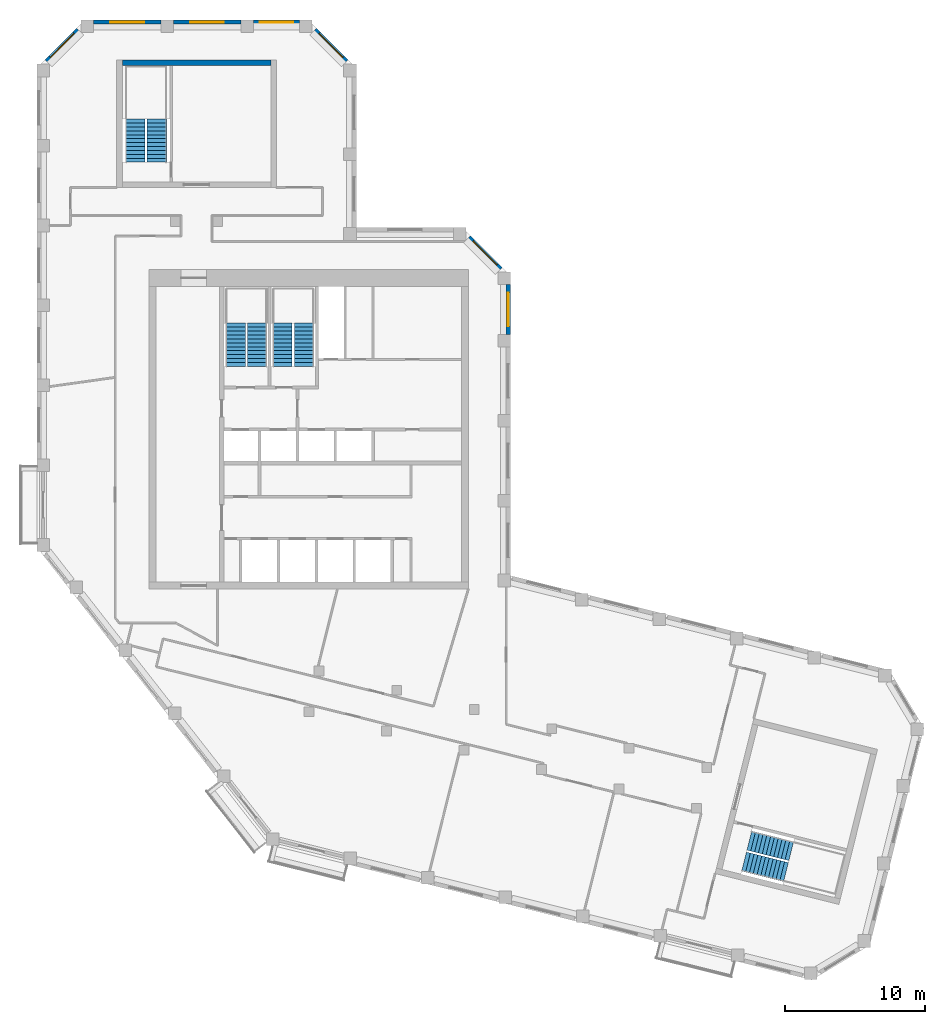
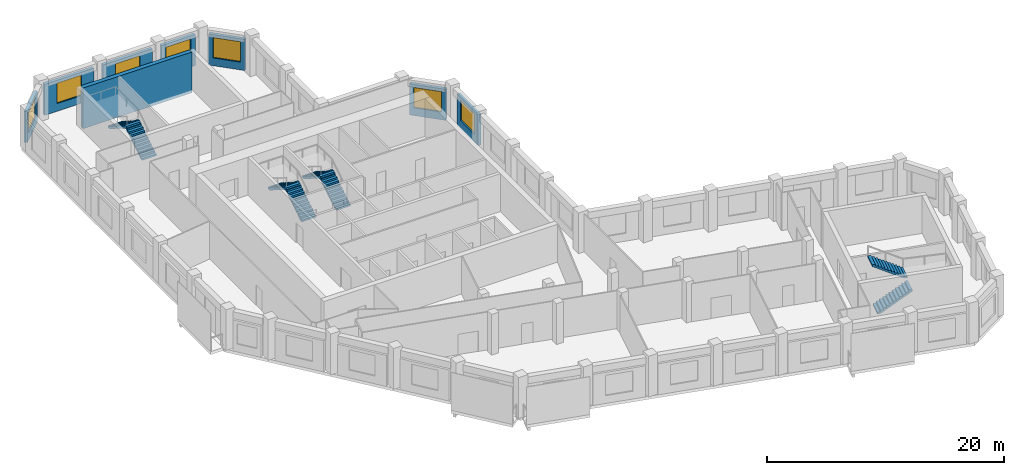
# One storey, part 7 of 8: 8 stair flights, 8 walls, 7 windows, 7 openings, 4 elements without a shape of their own.
"""IFC4 building model written with IfcOpenShell, lengths in metres."""

import ifcopenshell
import ifcopenshell.guid

model = None  # the IFC model being written
_history = None  # IfcOwnerHistory: only IFC2X3 demands one
_inside = {}  # id of a spatial element -> (the spatial element, [elements in it])
_under = {}  # id of a project, library or spatial element -> (it, [spatial elements below it])
_declared = {}  # id of a project -> (the project, [libraries it declares])
_typed = {}  # id of a type object -> (the type object, [elements of that type])
_made_of = {}  # id of a material, layer set ... -> (it, [elements and type objects made of it])


def new_model(schema):
    """Start an empty IFC model of exactly this schema.

    Asked for "IFC4X3", IfcOpenShell would pick the latest addendum, in which some entities
    have other attributes; the version numbers below select the first issue.
    IFC2X3 requires an IfcOwnerHistory on every rooted entity: one is made here for all.
    """
    global model, _history
    if schema == "IFC4X3":
        model = ifcopenshell.file(schema_version=(4, 3, 0, 0))
    else:
        model = ifcopenshell.file(schema=schema)
    _inside.clear()
    _under.clear()
    _declared.clear()
    _typed.clear()
    _made_of.clear()
    _history = None
    if model.schema == "IFC2X3":
        org = make("IfcOrganization", Name="unknown")
        user = make(
            "IfcPersonAndOrganization",
            ThePerson=make("IfcPerson", FamilyName="unknown"),
            TheOrganization=org,
        )
        app = make(
            "IfcApplication",
            ApplicationDeveloper=org,
            Version="unknown",
            ApplicationFullName="unknown",
            ApplicationIdentifier="unknown",
        )
        _history = make(
            "IfcOwnerHistory",
            OwningUser=user,
            OwningApplication=app,
            ChangeAction="ADDED",
            CreationDate=0,
        )
    return model


def make(cls, **values):
    """One entity of the class cls with the attributes given. An attribute that is None is left unset."""
    return model.create_entity(
        cls, **{name: value for name, value in values.items() if value is not None}
    )


def rooted(cls, **values):
    """An entity with a GlobalId (a new one), such as an element, a storey or a relation."""
    return make(cls, GlobalId=ifcopenshell.guid.new(), OwnerHistory=_history, **values)


def si_unit(unit_type, name, prefix=None):
    """IfcSIUnit, for example si_unit("LENGTHUNIT", "METRE", prefix="MILLI")."""
    return make("IfcSIUnit", UnitType=unit_type, Prefix=prefix, Name=name)


def assignment(units):
    """IfcUnitAssignment: the units of a project."""
    return None if units is None else make("IfcUnitAssignment", Units=units)


def point(xyz):
    """IfcCartesianPoint."""
    return None if xyz is None else make("IfcCartesianPoint", Coordinates=xyz)


def direction(xyz):
    """IfcDirection."""
    return None if xyz is None else make("IfcDirection", DirectionRatios=xyz)


def frame(location, z_axis=None, x_axis=None):
    """IfcAxis2Placement3D, a coordinate frame: its origin and axes. An axis left out is left unset."""
    return make(
        "IfcAxis2Placement3D",
        Location=point(location),
        Axis=direction(z_axis),
        RefDirection=direction(x_axis),
    )


def frame_2d(location, x_axis=None):
    """IfcAxis2Placement2D, a coordinate frame in the plane: its origin and x axis."""
    return make(
        "IfcAxis2Placement2D", Location=point(location), RefDirection=direction(x_axis)
    )


def origin():
    """The frame at (0, 0, 0) with its axes left unset."""
    return frame((0.0, 0.0, 0.0))


def place(relative_to, where):
    """IfcLocalPlacement: puts the frame where relative to a parent placement (None: the world)."""
    return make(
        "IfcLocalPlacement", PlacementRelTo=relative_to, RelativePlacement=where
    )


def context(
    kind, dimensions, precision=None, world=None, true_north=None, identifier=None
):
    """IfcGeometricRepresentationContext, for example the 3D "Model" context."""
    return make(
        "IfcGeometricRepresentationContext",
        ContextIdentifier=identifier,
        ContextType=kind,
        CoordinateSpaceDimension=dimensions,
        Precision=precision,
        WorldCoordinateSystem=world,
        TrueNorth=true_north,
    )


def subcontext(parent, identifier, kind, view, scale=None):
    """IfcGeometricRepresentationSubContext, for example "Body" below "Model"."""
    return make(
        "IfcGeometricRepresentationSubContext",
        ContextIdentifier=identifier,
        ContextType=kind,
        ParentContext=parent,
        TargetScale=scale,
        TargetView=view,
    )


def project(units=None, contexts=None):
    """IfcProject with its units and contexts."""
    return rooted(
        "IfcProject",
        Name="project",
        RepresentationContexts=contexts,
        UnitsInContext=assignment(units),
    )


def spatial(cls, under=None, at=None, **own):
    """A site, building, storey or space (cls), placed at a placement, below another one or the project."""
    s = rooted(cls, ObjectPlacement=at, **own)
    if under is not None:
        _under.setdefault(under.id(), (under, []))[1].append(s)
    return s


def polyline(points):
    """IfcPolyline through the points."""
    return make("IfcPolyline", Points=[point(p) for p in points])


def profile(cls, at=None, kind="AREA", **sizes):
    """A parametric profile (cls). Its sizes go by their IFC names, for example OverallWidth=200.0."""
    return make(cls, ProfileType=kind, Position=at, **sizes)


def rectangle(**sizes):
    """IfcRectangleProfileDef."""
    return profile("IfcRectangleProfileDef", **sizes)


def outline(outer, holes=None, kind="AREA"):
    """IfcArbitraryClosedProfileDef: a profile drawn as a closed curve; with holes, ...WithVoids."""
    if holes is None:
        return make("IfcArbitraryClosedProfileDef", ProfileType=kind, OuterCurve=outer)
    return make(
        "IfcArbitraryProfileDefWithVoids",
        ProfileType=kind,
        OuterCurve=outer,
        InnerCurves=holes,
    )


def extrude(swept, where, along, depth):
    """IfcExtrudedAreaSolid: the profile swept, set in the frame where, extruded along a direction by depth."""
    return make(
        "IfcExtrudedAreaSolid",
        SweptArea=swept,
        Position=where,
        ExtrudedDirection=direction(along),
        Depth=depth,
    )


def shape(context_of_items, identifier, shape_type, items):
    """IfcShapeRepresentation: the items that make up one representation, for example the "Body"."""
    return make(
        "IfcShapeRepresentation",
        ContextOfItems=context_of_items,
        RepresentationIdentifier=identifier,
        RepresentationType=shape_type,
        Items=items,
    )


def material(Name=None, Category=None):
    """IfcMaterial."""
    return make("IfcMaterial", Name=Name, Category=Category)


def layer(
    of_material, thickness, ventilated=None, Name=None, Category=None, Priority=None
):
    """IfcMaterialLayer: one layer of a wall or slab, of a material (None: an air gap)."""
    return make(
        "IfcMaterialLayer",
        Material=of_material,
        LayerThickness=thickness,
        IsVentilated=ventilated,
        Name=Name,
        Category=Category,
        Priority=Priority,
    )


def layer_set(layers, Name=None):
    """IfcMaterialLayerSet."""
    return make("IfcMaterialLayerSet", MaterialLayers=layers, LayerSetName=Name)


def made_of(thing, what):
    """Note that an element or type object is made of a material, layer set ...; save() writes the relation."""
    if what is not None:
        _made_of.setdefault(what.id(), (what, []))[1].append(thing)
    return thing


def type_object(cls, material=None, **own):
    """A type object (cls), such as IfcWallType, which elements share."""
    return made_of(rooted(cls, **own), material)


def element(
    cls,
    number,
    at=None,
    inside=None,
    cuts=None,
    type_object=None,
    material=None,
    context=None,
    identifier="Body",
    shape_type=None,
    held_by="IfcProductDefinitionShape",
    body=None,
    shapes=None,
    **own,
):
    """One element of the class cls, such as IfcWall. Its Tag is "e" and its number.

    at: its placement. inside: the storey or other place that contains it. cuts: it is an
    opening in that element (IfcRelVoidsElement). A single representation is given by context,
    identifier, shape_type and body (its items); several are given by shapes. held_by: the class
    of the entity that holds the representations. save() writes the other relations.
    """
    e = rooted(cls, Tag="e%d" % number, ObjectPlacement=at, **own)
    if body is not None:
        shapes = [shape(context, identifier, shape_type, body)]
    if shapes is not None:
        e.Representation = make(held_by, Representations=shapes)
    if inside is not None:
        _inside.setdefault(inside.id(), (inside, []))[1].append(e)
    if cuts is not None:
        rooted(
            "IfcRelVoidsElement", RelatingBuildingElement=cuts, RelatedOpeningElement=e
        )
    if type_object is not None:
        _typed.setdefault(type_object.id(), (type_object, []))[1].append(e)
    return made_of(e, material)


def fill(opening, filler):
    """IfcRelFillsElement: the door or window that sits in an opening."""
    return rooted(
        "IfcRelFillsElement",
        RelatingOpeningElement=opening,
        RelatedBuildingElement=filler,
    )


def aggregate(whole, parts):
    """IfcRelAggregates: a whole, such as a stair, and the parts it consists of."""
    return rooted("IfcRelAggregates", RelatingObject=whole, RelatedObjects=parts)


def save(model, path):
    """Write the relations noted so far, then the file.

    IfcRelAggregates (storeys below a building ...), IfcRelContainedInSpatialStructure (elements
    in a storey), IfcRelDefinesByType, IfcRelAssociatesMaterial and IfcRelDeclares: one each for
    every whole, place, type object, material and project.
    """
    for whole, parts in _under.values():
        aggregate(whole, parts)
    for where, things in _inside.values():
        rooted(
            "IfcRelContainedInSpatialStructure",
            RelatedElements=things,
            RelatingStructure=where,
        )
    for kind, things in _typed.values():
        rooted("IfcRelDefinesByType", RelatedObjects=things, RelatingType=kind)
    for what, things in _made_of.values():
        rooted("IfcRelAssociatesMaterial", RelatedObjects=things, RelatingMaterial=what)
    for by, libraries in _declared.values():
        rooted("IfcRelDeclares", RelatingContext=by, RelatedDefinitions=libraries)
    model.write(path)


model = new_model("IFC4")

# Units and contexts
model_context = context("Model", 3, precision=1e-05, world=origin(), true_north=direction((0.0, 1.0)))
body_context = subcontext(model_context, "Body", "Model", "MODEL_VIEW")
ifc_project = project(units=[si_unit("LENGTHUNIT", "METRE"), si_unit("AREAUNIT", "SQUARE_METRE"), si_unit("VOLUMEUNIT", "CUBIC_METRE"), si_unit("PLANEANGLEUNIT", "RADIAN"), si_unit("MASSUNIT", "GRAM", prefix="KILO")], contexts=[model_context])

# Site, building, storey
site_placement = place(None, origin())
site = spatial("IfcSite", under=ifc_project, at=site_placement, CompositionType="ELEMENT")
building_placement = place(site_placement, origin())
building = spatial("IfcBuilding", under=site, at=building_placement, Name="Meshkara Civic Tower", CompositionType="ELEMENT")
storey_placement = place(building_placement, frame((0.0, 0.0, 358.199951171875)))
storey = spatial("IfcBuildingStorey", under=building, at=storey_placement, Name="L82", CompositionType="ELEMENT", Elevation=358.199951171875)

# Wall, opening, window
ifc_material_1 = material(Name="Insulated infill panel with bronze anodised aluminium cladding", Category="aluminium")
ifc_layer_1 = layer(ifc_material_1, 0.300048828125)
ifc_layer_set_1 = layer_set([ifc_layer_1], Name="EXTERNAL INFILL WALL 300")
wall_type_1 = type_object("IfcWallType", Name="EXTERNAL INFILL WALL 300", PredefinedType="SOLIDWALL", material=ifc_layer_set_1)
wall_1_placement = place(storey_placement, frame((33.64990234375, 32.26904296875, 0.0), z_axis=(0.0, 0.0, 1.0), x_axis=(0.0, 1.0, 0.0)))
wall_1 = element("IfcWall", 1, at=wall_1_placement, inside=storey, type_object=wall_type_1, Name="External wall", PredefinedType="SOLIDWALL", context=body_context, shape_type="SweptSolid", body=[
    extrude(rectangle(XDim=3.574951171875, YDim=0.300048828125, at=frame_2d((1.78759765625, 0.0))), origin(), (0.0, 0.0, 1.0), 3.199951171875),
])
opening_1_placement = place(wall_1_placement, frame((0.587890625, 0.0, 0.800048828125)))
opening_1 = element("IfcOpeningElement", 2, at=opening_1_placement, cuts=wall_1, Name="Opening W7", PredefinedType="OPENING", context=body_context, shape_type="SweptSolid", body=[
    extrude(rectangle(XDim=2.39990234375, YDim=2.10009765625, at=frame_2d((1.199951171875, 1.050048828125))), frame((0.0, 0.159912109375, 0.0), z_axis=(0.0, -1.0, 0.0), x_axis=(1.0, 0.0, 0.0)), (0.0, 0.0, 1.0), 0.320068359375),
])
ifc_material_2 = material(Name="Tinted double glazing", Category="glass")
window_type = type_object("IfcWindowType", Name="WINDOW 2400x2100", PartitioningType="DOUBLE_PANEL_VERTICAL", PredefinedType="WINDOW", material=ifc_material_2)
window_1_placement = place(opening_1_placement, origin())
window_1 = element("IfcWindow", 3, at=window_1_placement, inside=storey, type_object=window_type, Name="Window", OverallHeight=2.10009765625, OverallWidth=2.39990234375, PartitioningType="DOUBLE_PANEL_VERTICAL", PredefinedType="WINDOW", context=body_context, shape_type="SweptSolid", body=[
    extrude(rectangle(XDim=2.39990234375, YDim=2.10009765625, at=frame_2d((1.199951171875, 1.050048828125))), frame((0.0, 0.030029296875, 0.0), z_axis=(0.0, -1.0, 0.0), x_axis=(1.0, 0.0, 0.0)), (0.0, 0.0, 1.0), 0.06005859375),
])
fill(opening_1, window_1)

wall_2_placement = place(storey_placement, frame((33.112060546875, 36.9560546875, 0.0), z_axis=(0.0, 0.0, 1.0), x_axis=(-0.707145041435, 0.707068518868, 0.0)))
wall_2 = element("IfcWall", 4, at=wall_2_placement, inside=storey, type_object=wall_type_1, Name="External wall", PredefinedType="SOLIDWALL", context=body_context, shape_type="SweptSolid", body=[
    extrude(rectangle(XDim=3.1904296875, YDim=0.300048828125, at=frame_2d((1.59521484375, 0.0))), origin(), (0.0, 0.0, 1.0), 3.199951171875),
])
opening_2_placement = place(wall_2_placement, frame((0.39501953125, 0.0, 0.800048828125)))
opening_2 = element("IfcOpeningElement", 5, at=opening_2_placement, cuts=wall_2, Name="Opening W7", PredefinedType="OPENING", context=body_context, shape_type="SweptSolid", body=[
    extrude(rectangle(XDim=2.39990234375, YDim=2.10009765625, at=frame_2d((1.199951171875, 1.050048828125))), frame((0.0, 0.159912109375, 0.0), z_axis=(0.0, -1.0, 0.0), x_axis=(1.0, 0.0, 0.0)), (0.0, 0.0, 1.0), 0.320068359375),
])
window_2_placement = place(opening_2_placement, origin())
window_2 = element("IfcWindow", 6, at=window_2_placement, inside=storey, type_object=window_type, Name="Window", OverallHeight=2.10009765625, OverallWidth=2.39990234375, PartitioningType="DOUBLE_PANEL_VERTICAL", PredefinedType="WINDOW", context=body_context, shape_type="SweptSolid", body=[
    extrude(rectangle(XDim=2.39990234375, YDim=2.10009765625, at=frame_2d((1.199951171875, 1.050048828125))), frame((0.0, 0.030029296875, 0.0), z_axis=(0.0, -1.0, 0.0), x_axis=(1.0, 0.0, 0.0)), (0.0, 0.0, 1.0), 0.06005859375),
])
fill(opening_2, window_2)

wall_3_placement = place(storey_placement, frame((22.112060546875, 51.77587890625, 0.0), z_axis=(0.0, 0.0, 1.0), x_axis=(-0.707106781187, 0.707106781187, 0.0)))
wall_3 = element("IfcWall", 7, at=wall_3_placement, inside=storey, type_object=wall_type_1, Name="External wall", PredefinedType="SOLIDWALL", context=body_context, shape_type="SweptSolid", body=[
    extrude(rectangle(XDim=3.190673828125, YDim=0.300048828125, at=frame_2d((1.59521484375, 0.0))), origin(), (0.0, 0.0, 1.0), 3.199951171875),
])
opening_3_placement = place(wall_3_placement, frame((0.39501953125, 0.0, 0.800048828125)))
opening_3 = element("IfcOpeningElement", 8, at=opening_3_placement, cuts=wall_3, Name="Opening W7", PredefinedType="OPENING", context=body_context, shape_type="SweptSolid", body=[
    extrude(rectangle(XDim=2.39990234375, YDim=2.10009765625, at=frame_2d((1.199951171875, 1.050048828125))), frame((0.0, 0.159912109375, 0.0), z_axis=(0.0, -1.0, 0.0), x_axis=(1.0, 0.0, 0.0)), (0.0, 0.0, 1.0), 0.320068359375),
])
window_3_placement = place(opening_3_placement, origin())
window_3 = element("IfcWindow", 9, at=window_3_placement, inside=storey, type_object=window_type, Name="Window", OverallHeight=2.10009765625, OverallWidth=2.39990234375, PartitioningType="DOUBLE_PANEL_VERTICAL", PredefinedType="WINDOW", context=body_context, shape_type="SweptSolid", body=[
    extrude(rectangle(XDim=2.39990234375, YDim=2.10009765625, at=frame_2d((1.199951171875, 1.050048828125))), frame((0.0, 0.030029296875, 0.0), z_axis=(0.0, -1.0, 0.0), x_axis=(1.0, 0.0, 0.0)), (0.0, 0.0, 1.0), 0.06005859375),
])
fill(opening_3, window_3)

wall_4_placement = place(storey_placement, frame((18.743896484375, 54.570068359375, 0.0), z_axis=(0.0, 0.0, 1.0), x_axis=(-1.0, 0.0, 0.0)))
wall_4 = element("IfcWall", 10, at=wall_4_placement, inside=storey, type_object=wall_type_1, Name="External wall", PredefinedType="SOLIDWALL", context=body_context, shape_type="SweptSolid", body=[
    extrude(rectangle(XDim=3.287841796875, YDim=0.300048828125, at=frame_2d((1.64404296875, 0.0))), origin(), (0.0, 0.0, 1.0), 3.199951171875),
])
opening_4_placement = place(wall_4_placement, frame((0.444091796875, 0.0, 0.800048828125)))
opening_4 = element("IfcOpeningElement", 11, at=opening_4_placement, cuts=wall_4, Name="Opening W7", PredefinedType="OPENING", context=body_context, shape_type="SweptSolid", body=[
    extrude(rectangle(XDim=2.39990234375, YDim=2.10009765625, at=frame_2d((1.199951171875, 1.050048828125))), frame((0.0, 0.159912109375, 0.0), z_axis=(0.0, -1.0, 0.0), x_axis=(1.0, 0.0, 0.0)), (0.0, 0.0, 1.0), 0.320068359375),
])
window_4_placement = place(opening_4_placement, origin())
window_4 = element("IfcWindow", 12, at=window_4_placement, inside=storey, type_object=window_type, Name="Window", OverallHeight=2.10009765625, OverallWidth=2.39990234375, PartitioningType="DOUBLE_PANEL_VERTICAL", PredefinedType="WINDOW", context=body_context, shape_type="SweptSolid", body=[
    extrude(rectangle(XDim=2.39990234375, YDim=2.10009765625, at=frame_2d((1.199951171875, 1.050048828125))), frame((0.0, 0.030029296875, 0.0), z_axis=(0.0, -1.0, 0.0), x_axis=(1.0, 0.0, 0.0)), (0.0, 0.0, 1.0), 0.06005859375),
])
fill(opening_4, window_4)

wall_5_placement = place(storey_placement, frame((14.555908203125, 54.570068359375, 0.0), z_axis=(0.0, 0.0, 1.0), x_axis=(-1.0, 0.0, 0.0)))
wall_5 = element("IfcWall", 13, at=wall_5_placement, inside=storey, type_object=wall_type_1, Name="External wall", PredefinedType="SOLIDWALL", context=body_context, shape_type="SweptSolid", body=[
    extrude(rectangle(XDim=4.7998046875, YDim=0.300048828125, at=frame_2d((2.39990234375, 0.0))), origin(), (0.0, 0.0, 1.0), 3.199951171875),
])
opening_5_placement = place(wall_5_placement, frame((1.199951171875, 0.0, 0.800048828125)))
opening_5 = element("IfcOpeningElement", 14, at=opening_5_placement, cuts=wall_5, Name="Opening W7", PredefinedType="OPENING", context=body_context, shape_type="SweptSolid", body=[
    extrude(rectangle(XDim=2.39990234375, YDim=2.10009765625, at=frame_2d((1.199951171875, 1.050048828125))), frame((0.0, 0.159912109375, 0.0), z_axis=(0.0, -1.0, 0.0), x_axis=(1.0, 0.0, 0.0)), (0.0, 0.0, 1.0), 0.320068359375),
])
window_5_placement = place(opening_5_placement, origin())
window_5 = element("IfcWindow", 15, at=window_5_placement, inside=storey, type_object=window_type, Name="Window", OverallHeight=2.10009765625, OverallWidth=2.39990234375, PartitioningType="DOUBLE_PANEL_VERTICAL", PredefinedType="WINDOW", context=body_context, shape_type="SweptSolid", body=[
    extrude(rectangle(XDim=2.39990234375, YDim=2.10009765625, at=frame_2d((1.199951171875, 1.050048828125))), frame((0.0, 0.030029296875, 0.0), z_axis=(0.0, -1.0, 0.0), x_axis=(1.0, 0.0, 0.0)), (0.0, 0.0, 1.0), 0.06005859375),
])
fill(opening_5, window_5)

wall_6_placement = place(storey_placement, frame((8.85595703125, 54.570068359375, 0.0), z_axis=(0.0, 0.0, 1.0), x_axis=(-1.0, 0.0, 0.0)))
wall_6 = element("IfcWall", 16, at=wall_6_placement, inside=storey, type_object=wall_type_1, Name="External wall", PredefinedType="SOLIDWALL", context=body_context, shape_type="SweptSolid", body=[
    extrude(rectangle(XDim=4.800048828125, YDim=0.300048828125, at=frame_2d((2.39990234375, 0.0))), origin(), (0.0, 0.0, 1.0), 3.199951171875),
])
opening_6_placement = place(wall_6_placement, frame((1.199951171875, 0.0, 0.800048828125)))
opening_6 = element("IfcOpeningElement", 17, at=opening_6_placement, cuts=wall_6, Name="Opening W7", PredefinedType="OPENING", context=body_context, shape_type="SweptSolid", body=[
    extrude(rectangle(XDim=2.39990234375, YDim=2.10009765625, at=frame_2d((1.199951171875, 1.050048828125))), frame((0.0, 0.159912109375, 0.0), z_axis=(0.0, -1.0, 0.0), x_axis=(1.0, 0.0, 0.0)), (0.0, 0.0, 1.0), 0.320068359375),
])
window_6_placement = place(opening_6_placement, origin())
window_6 = element("IfcWindow", 18, at=window_6_placement, inside=storey, type_object=window_type, Name="Window", OverallHeight=2.10009765625, OverallWidth=2.39990234375, PartitioningType="DOUBLE_PANEL_VERTICAL", PredefinedType="WINDOW", context=body_context, shape_type="SweptSolid", body=[
    extrude(rectangle(XDim=2.39990234375, YDim=2.10009765625, at=frame_2d((1.199951171875, 1.050048828125))), frame((0.0, 0.030029296875, 0.0), z_axis=(0.0, -1.0, 0.0), x_axis=(1.0, 0.0, 0.0)), (0.0, 0.0, 1.0), 0.06005859375),
])
fill(opening_6, window_6)

wall_7_placement = place(storey_placement, frame((2.944091796875, 54.031982421875, 0.0), z_axis=(0.0, 0.0, 1.0), x_axis=(-0.707106781187, -0.707106781187, 0.0)))
wall_7 = element("IfcWall", 19, at=wall_7_placement, inside=storey, type_object=wall_type_1, Name="External wall", PredefinedType="SOLIDWALL", context=body_context, shape_type="SweptSolid", body=[
    extrude(rectangle(XDim=3.190673828125, YDim=0.300048828125, at=frame_2d((1.59521484375, 0.0))), origin(), (0.0, 0.0, 1.0), 3.199951171875),
])
opening_7_placement = place(wall_7_placement, frame((0.39501953125, 0.0, 0.800048828125)))
opening_7 = element("IfcOpeningElement", 20, at=opening_7_placement, cuts=wall_7, Name="Opening W7", PredefinedType="OPENING", context=body_context, shape_type="SweptSolid", body=[
    extrude(rectangle(XDim=2.39990234375, YDim=2.10009765625, at=frame_2d((1.199951171875, 1.050048828125))), frame((0.0, 0.159912109375, 0.0), z_axis=(0.0, -1.0, 0.0), x_axis=(1.0, 0.0, 0.0)), (0.0, 0.0, 1.0), 0.320068359375),
])
window_7_placement = place(opening_7_placement, origin())
window_7 = element("IfcWindow", 21, at=window_7_placement, inside=storey, type_object=window_type, Name="Window", OverallHeight=2.10009765625, OverallWidth=2.39990234375, PartitioningType="DOUBLE_PANEL_VERTICAL", PredefinedType="WINDOW", context=body_context, shape_type="SweptSolid", body=[
    extrude(rectangle(XDim=2.39990234375, YDim=2.10009765625, at=frame_2d((1.199951171875, 1.050048828125))), frame((0.0, 0.030029296875, 0.0), z_axis=(0.0, -1.0, 0.0), x_axis=(1.0, 0.0, 0.0)), (0.0, 0.0, 1.0), 0.06005859375),
])
fill(opening_7, window_7)

# Wall
ifc_material_3 = material(Name="Concrete C50", Category="concrete")
ifc_layer_2 = layer(ifc_material_3, 0.39990234375)
ifc_layer_set_2 = layer_set([ifc_layer_2], Name="End core ring wall 400 C50")
wall_type_2 = type_object("IfcWallType", Name="End core ring wall 400 C50", PredefinedType="SHEAR", material=ifc_layer_set_2)
wall_8_placement = place(storey_placement, frame((6.10009765625, 51.669921875, -0.300048828125), z_axis=(0.0, 0.0, 1.0), x_axis=(1.0, 0.0, 0.0)))
element("IfcWall", 22, at=wall_8_placement, inside=storey, type_object=wall_type_2, Name="L82-C030", PredefinedType="SHEAR", context=body_context, shape_type="SweptSolid", body=[
    extrude(rectangle(XDim=10.599853515625, YDim=0.39990234375, at=frame_2d((5.2998046875, 0.0))), origin(), (0.0, 0.0, 1.0), 4.2001953125),
])

# Stair, stair flights
ifc_material_4 = material(Name="Precast concrete C40/50", Category="concrete")
stair_type = type_object("IfcStairType", Name="Exit stair half-turn 24 risers precast", PredefinedType="HALF_TURN_STAIR", material=ifc_material_4)
stair_1_placement = place(storey_placement, origin())
stair_1 = element("IfcStair", 23, at=stair_1_placement, inside=storey, type_object=stair_type, Name="L82 exit stair 1", PredefinedType="HALF_TURN_STAIR")
ifc_material_5 = material(Name="Precast concrete C40/50", Category="concrete")
stair_flight_type = type_object("IfcStairFlightType", Name="Exit stair flight 12 risers precast", PredefinedType="STRAIGHT", material=ifc_material_5)
stair_flight_1_placement = place(storey_placement, frame((15.72509765625, 30.0, 0.0), z_axis=(0.0, 0.0, 1.0), x_axis=(0.0, 1.0, 0.0)))
stair_flight_1 = element("IfcStairFlight", 24, at=stair_flight_1_placement, type_object=stair_flight_type, Name="ST1 flight 1", NumberOfRisers=12, NumberOfTreads=11, PredefinedType="STRAIGHT", RiserHeight=0.175, TreadLength=0.28, context=body_context, shape_type="SweptSolid", body=[
    extrude(outline(polyline([(0.0, 0.0), (0.0, 0.175048828125), (0.280029296875, 0.175048828125), (0.280029296875, 0.35009765625), (0.56005859375, 0.35009765625), (0.56005859375, 0.52490234375), (0.840087890625, 0.52490234375), (0.840087890625, 0.699951171875), (1.1201171875, 0.699951171875), (1.1201171875, 0.875), (1.39990234375, 0.875), (1.39990234375, 1.050048828125), (1.679931640625, 1.050048828125), (1.679931640625, 1.22509765625), (1.9599609375, 1.22509765625), (1.9599609375, 1.39990234375), (2.239990234375, 1.39990234375), (2.239990234375, 1.574951171875), (2.52001953125, 1.574951171875), (2.52001953125, 1.75), (2.800048828125, 1.75), (2.800048828125, 1.925048828125), (3.080078125, 1.925048828125), (3.080078125, 2.10009765625), (3.080078125, 1.748291015625), (0.28271484375, 0.0), (0.0, 0.0)])), frame((0.0, 0.699951171875, 0.0), z_axis=(0.0, -1.0, 0.0), x_axis=(1.0, 0.0, 0.0)), (0.0, 0.0, 1.0), 1.39990234375),
])
stair_flight_2_placement = place(storey_placement, frame((14.175048828125, 33.080078125, 2.10009765625), z_axis=(0.0, 0.0, 1.0), x_axis=(0.0, -1.0, 0.0)))
stair_flight_2 = element("IfcStairFlight", 25, at=stair_flight_2_placement, type_object=stair_flight_type, Name="ST1 flight 2", NumberOfRisers=12, NumberOfTreads=11, PredefinedType="STRAIGHT", RiserHeight=0.175, TreadLength=0.28, context=body_context, shape_type="SweptSolid", body=[
    extrude(outline(polyline([(0.0, 0.0), (0.0, 0.175048828125), (0.280029296875, 0.175048828125), (0.280029296875, 0.35009765625), (0.56005859375, 0.35009765625), (0.56005859375, 0.52490234375), (0.840087890625, 0.52490234375), (0.840087890625, 0.699951171875), (1.1201171875, 0.699951171875), (1.1201171875, 0.875), (1.39990234375, 0.875), (1.39990234375, 1.050048828125), (1.679931640625, 1.050048828125), (1.679931640625, 1.22509765625), (1.9599609375, 1.22509765625), (1.9599609375, 1.39990234375), (2.239990234375, 1.39990234375), (2.239990234375, 1.574951171875), (2.52001953125, 1.574951171875), (2.52001953125, 1.75), (2.800048828125, 1.75), (2.800048828125, 1.925048828125), (3.080078125, 1.925048828125), (3.080078125, 2.10009765625), (3.080078125, 1.748291015625), (0.28271484375, 0.0), (0.0, 0.0)])), frame((0.0, 0.699951171875, 0.0), z_axis=(0.0, -1.0, 0.0), x_axis=(1.0, 0.0, 0.0)), (0.0, 0.0, 1.0), 1.39990234375),
])
aggregate(stair_1, [stair_flight_1, stair_flight_2])

stair_2_placement = place(storey_placement, origin())
stair_2 = element("IfcStair", 26, at=stair_2_placement, inside=storey, type_object=stair_type, Name="L82 exit stair 2", PredefinedType="HALF_TURN_STAIR")
stair_flight_3_placement = place(storey_placement, frame((19.074951171875, 30.0, 0.0), z_axis=(0.0, 0.0, 1.0), x_axis=(0.0, 1.0, 0.0)))
stair_flight_3 = element("IfcStairFlight", 27, at=stair_flight_3_placement, type_object=stair_flight_type, Name="ST2 flight 1", NumberOfRisers=12, NumberOfTreads=11, PredefinedType="STRAIGHT", RiserHeight=0.175, TreadLength=0.28, context=body_context, shape_type="SweptSolid", body=[
    extrude(outline(polyline([(0.0, 0.0), (0.0, 0.175048828125), (0.280029296875, 0.175048828125), (0.280029296875, 0.35009765625), (0.56005859375, 0.35009765625), (0.56005859375, 0.52490234375), (0.840087890625, 0.52490234375), (0.840087890625, 0.699951171875), (1.1201171875, 0.699951171875), (1.1201171875, 0.875), (1.39990234375, 0.875), (1.39990234375, 1.050048828125), (1.679931640625, 1.050048828125), (1.679931640625, 1.22509765625), (1.9599609375, 1.22509765625), (1.9599609375, 1.39990234375), (2.239990234375, 1.39990234375), (2.239990234375, 1.574951171875), (2.52001953125, 1.574951171875), (2.52001953125, 1.75), (2.800048828125, 1.75), (2.800048828125, 1.925048828125), (3.080078125, 1.925048828125), (3.080078125, 2.10009765625), (3.080078125, 1.748291015625), (0.28271484375, 0.0), (0.0, 0.0)])), frame((0.0, 0.699951171875, 0.0), z_axis=(0.0, -1.0, 0.0), x_axis=(1.0, 0.0, 0.0)), (0.0, 0.0, 1.0), 1.39990234375),
])
stair_flight_4_placement = place(storey_placement, frame((17.52490234375, 33.080078125, 2.10009765625), z_axis=(0.0, 0.0, 1.0), x_axis=(0.0, -1.0, 0.0)))
stair_flight_4 = element("IfcStairFlight", 28, at=stair_flight_4_placement, type_object=stair_flight_type, Name="ST2 flight 2", NumberOfRisers=12, NumberOfTreads=11, PredefinedType="STRAIGHT", RiserHeight=0.175, TreadLength=0.28, context=body_context, shape_type="SweptSolid", body=[
    extrude(outline(polyline([(0.0, 0.0), (0.0, 0.175048828125), (0.280029296875, 0.175048828125), (0.280029296875, 0.35009765625), (0.56005859375, 0.35009765625), (0.56005859375, 0.52490234375), (0.840087890625, 0.52490234375), (0.840087890625, 0.699951171875), (1.1201171875, 0.699951171875), (1.1201171875, 0.875), (1.39990234375, 0.875), (1.39990234375, 1.050048828125), (1.679931640625, 1.050048828125), (1.679931640625, 1.22509765625), (1.9599609375, 1.22509765625), (1.9599609375, 1.39990234375), (2.239990234375, 1.39990234375), (2.239990234375, 1.574951171875), (2.52001953125, 1.574951171875), (2.52001953125, 1.75), (2.800048828125, 1.75), (2.800048828125, 1.925048828125), (3.080078125, 1.925048828125), (3.080078125, 2.10009765625), (3.080078125, 1.748291015625), (0.28271484375, 0.0), (0.0, 0.0)])), frame((0.0, 0.699951171875, 0.0), z_axis=(0.0, -1.0, 0.0), x_axis=(1.0, 0.0, 0.0)), (0.0, 0.0, 1.0), 1.39990234375),
])
aggregate(stair_2, [stair_flight_3, stair_flight_4])

stair_3_placement = place(storey_placement, origin())
stair_3 = element("IfcStair", 29, at=stair_3_placement, inside=storey, type_object=stair_type, Name="L82 exit stair A from L80", PredefinedType="HALF_TURN_STAIR")
stair_flight_5_placement = place(storey_placement, frame((8.574951171875, 44.570068359375, 0.0), z_axis=(0.0, 0.0, 1.0), x_axis=(0.0, 1.0, 0.0)))
stair_flight_5 = element("IfcStairFlight", 30, at=stair_flight_5_placement, type_object=stair_flight_type, Name="ESA6 flight 1", NumberOfRisers=12, NumberOfTreads=11, PredefinedType="STRAIGHT", RiserHeight=0.175, TreadLength=0.28, context=body_context, shape_type="SweptSolid", body=[
    extrude(outline(polyline([(0.0, 0.0), (0.0, 0.175048828125), (0.280029296875, 0.175048828125), (0.280029296875, 0.35009765625), (0.56005859375, 0.35009765625), (0.56005859375, 0.52490234375), (0.840087890625, 0.52490234375), (0.840087890625, 0.699951171875), (1.1201171875, 0.699951171875), (1.1201171875, 0.875), (1.39990234375, 0.875), (1.39990234375, 1.050048828125), (1.679931640625, 1.050048828125), (1.679931640625, 1.22509765625), (1.9599609375, 1.22509765625), (1.9599609375, 1.39990234375), (2.239990234375, 1.39990234375), (2.239990234375, 1.574951171875), (2.52001953125, 1.574951171875), (2.52001953125, 1.75), (2.800048828125, 1.75), (2.800048828125, 1.925048828125), (3.080078125, 1.925048828125), (3.080078125, 2.10009765625), (3.080078125, 1.748291015625), (0.28271484375, 0.0), (0.0, 0.0)])), frame((0.0, 0.699951171875, 0.0), z_axis=(0.0, -1.0, 0.0), x_axis=(1.0, 0.0, 0.0)), (0.0, 0.0, 1.0), 1.39990234375),
])
stair_flight_6_placement = place(storey_placement, frame((7.02490234375, 47.64990234375, 2.10009765625), z_axis=(0.0, 0.0, 1.0), x_axis=(0.0, -1.0, 0.0)))
stair_flight_6 = element("IfcStairFlight", 31, at=stair_flight_6_placement, type_object=stair_flight_type, Name="ESA6 flight 2", NumberOfRisers=12, NumberOfTreads=11, PredefinedType="STRAIGHT", RiserHeight=0.175, TreadLength=0.28, context=body_context, shape_type="SweptSolid", body=[
    extrude(outline(polyline([(0.0, 0.0), (0.0, 0.175048828125), (0.280029296875, 0.175048828125), (0.280029296875, 0.35009765625), (0.56005859375, 0.35009765625), (0.56005859375, 0.52490234375), (0.840087890625, 0.52490234375), (0.840087890625, 0.699951171875), (1.1201171875, 0.699951171875), (1.1201171875, 0.875), (1.39990234375, 0.875), (1.39990234375, 1.050048828125), (1.679931640625, 1.050048828125), (1.679931640625, 1.22509765625), (1.9599609375, 1.22509765625), (1.9599609375, 1.39990234375), (2.239990234375, 1.39990234375), (2.239990234375, 1.574951171875), (2.52001953125, 1.574951171875), (2.52001953125, 1.75), (2.800048828125, 1.75), (2.800048828125, 1.925048828125), (3.080078125, 1.925048828125), (3.080078125, 2.10009765625), (3.080078125, 1.748291015625), (0.28271484375, 0.0), (0.0, 0.0)])), frame((0.0, 0.699951171875, 0.0), z_axis=(0.0, -1.0, 0.0), x_axis=(1.0, 0.0, 0.0)), (0.0, 0.0, 1.0), 1.39990234375),
])
aggregate(stair_3, [stair_flight_5, stair_flight_6])

stair_4_placement = place(storey_placement, origin())
stair_4 = element("IfcStair", 32, at=stair_4_placement, inside=storey, type_object=stair_type, Name="L82 exit stair B from L80", PredefinedType="HALF_TURN_STAIR")
stair_flight_7_placement = place(storey_placement, frame((50.47607421875, -5.344482421875, 0.0), z_axis=(0.0, 0.0, 1.0), x_axis=(0.9703185901, -0.241830175344, 0.0)))
stair_flight_7 = element("IfcStairFlight", 33, at=stair_flight_7_placement, type_object=stair_flight_type, Name="ESB6 flight 1", NumberOfRisers=12, NumberOfTreads=11, PredefinedType="STRAIGHT", RiserHeight=0.175, TreadLength=0.28, context=body_context, shape_type="SweptSolid", body=[
    extrude(outline(polyline([(0.0, 0.0), (0.0, 0.175048828125), (0.280029296875, 0.175048828125), (0.280029296875, 0.35009765625), (0.56005859375, 0.35009765625), (0.56005859375, 0.52490234375), (0.840087890625, 0.52490234375), (0.840087890625, 0.699951171875), (1.1201171875, 0.699951171875), (1.1201171875, 0.875), (1.39990234375, 0.875), (1.39990234375, 1.050048828125), (1.679931640625, 1.050048828125), (1.679931640625, 1.22509765625), (1.9599609375, 1.22509765625), (1.9599609375, 1.39990234375), (2.239990234375, 1.39990234375), (2.239990234375, 1.574951171875), (2.52001953125, 1.574951171875), (2.52001953125, 1.75), (2.800048828125, 1.75), (2.800048828125, 1.925048828125), (3.080078125, 1.925048828125), (3.080078125, 2.10009765625), (3.080078125, 1.748291015625), (0.28271484375, 0.0), (0.0, 0.0)])), frame((0.0, 0.699951171875, 0.0), z_axis=(0.0, -1.0, 0.0), x_axis=(1.0, 0.0, 0.0)), (0.0, 0.0, 1.0), 1.39990234375),
])
stair_flight_8_placement = place(storey_placement, frame((53.83935546875, -4.58544921875, 2.10009765625), z_axis=(0.0, 0.0, 1.0), x_axis=(-0.9703185901, 0.241830175344, 0.0)))
stair_flight_8 = element("IfcStairFlight", 34, at=stair_flight_8_placement, type_object=stair_flight_type, Name="ESB6 flight 2", NumberOfRisers=12, NumberOfTreads=11, PredefinedType="STRAIGHT", RiserHeight=0.175, TreadLength=0.28, context=body_context, shape_type="SweptSolid", body=[
    extrude(outline(polyline([(0.0, 0.0), (0.0, 0.175048828125), (0.280029296875, 0.175048828125), (0.280029296875, 0.35009765625), (0.56005859375, 0.35009765625), (0.56005859375, 0.52490234375), (0.840087890625, 0.52490234375), (0.840087890625, 0.699951171875), (1.1201171875, 0.699951171875), (1.1201171875, 0.875), (1.39990234375, 0.875), (1.39990234375, 1.050048828125), (1.679931640625, 1.050048828125), (1.679931640625, 1.22509765625), (1.9599609375, 1.22509765625), (1.9599609375, 1.39990234375), (2.239990234375, 1.39990234375), (2.239990234375, 1.574951171875), (2.52001953125, 1.574951171875), (2.52001953125, 1.75), (2.800048828125, 1.75), (2.800048828125, 1.925048828125), (3.080078125, 1.925048828125), (3.080078125, 2.10009765625), (3.080078125, 1.748291015625), (0.28271484375, 0.0), (0.0, 0.0)])), frame((0.0, 0.699951171875, 0.0), z_axis=(0.0, -1.0, 0.0), x_axis=(1.0, 0.0, 0.0)), (0.0, 0.0, 1.0), 1.39990234375),
])
aggregate(stair_4, [stair_flight_7, stair_flight_8])

save(model, "model.ifc")
